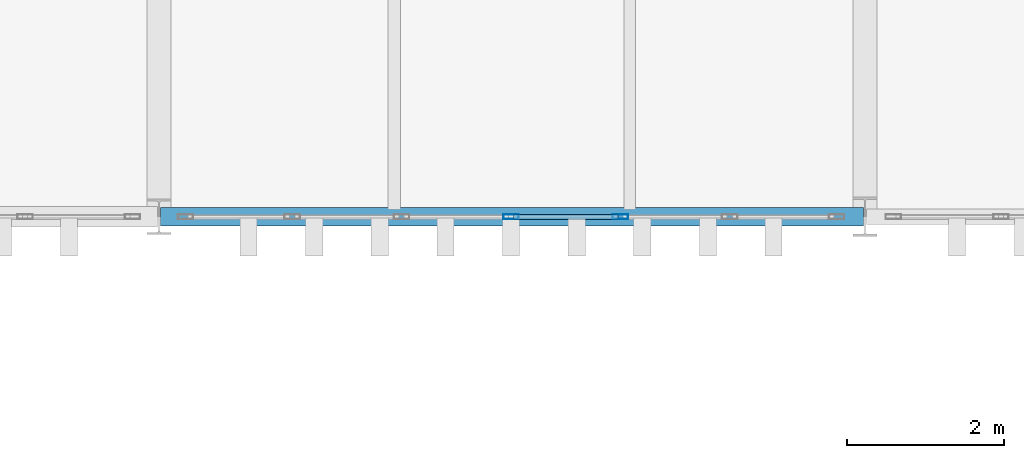
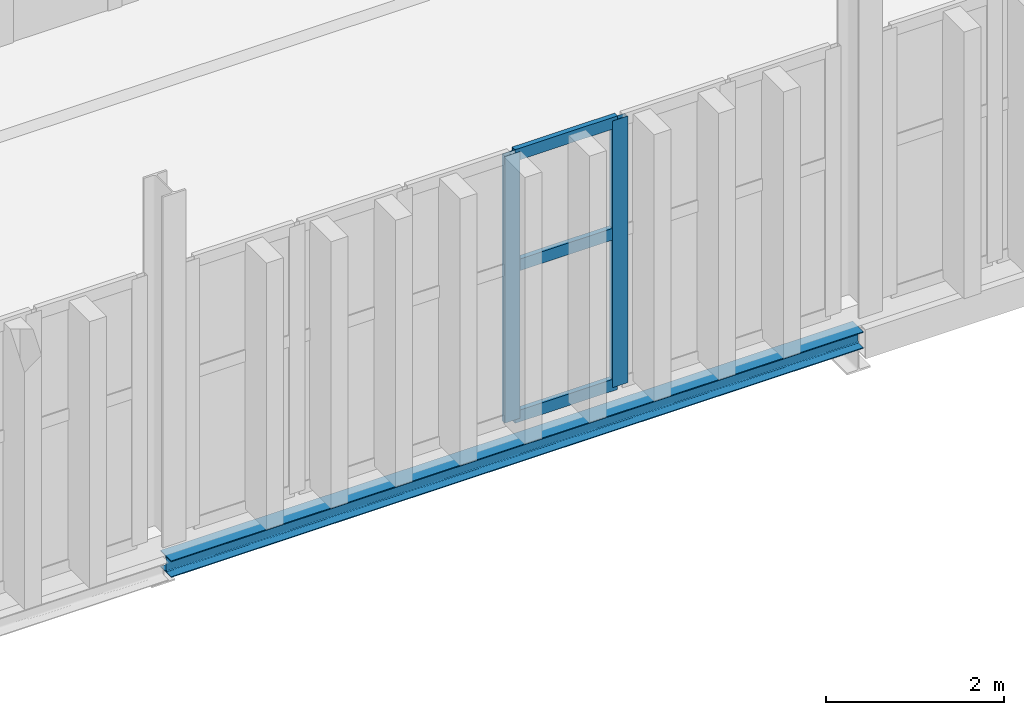
# One storey, part 30 of 196: 5 members, 1 beam, 1 element without a shape of its own.
"""IFC4 building model written with IfcOpenShell, lengths in metres."""

from ifc_helpers import new_model, si_unit, direction, frame, origin, origin_2d, place, context, subcontext, project, spatial, hollow_rectangle, i_section, extrude, material, layer, layer_set, material_profile, profile_set, type_object, element, aggregate, save


model = new_model("IFC4")

# Units and contexts
model_context = context("Model", 3, precision=1e-05, world=origin(), true_north=direction((0.0, 1.0)))
body_context = subcontext(model_context, "Body", "Model", "MODEL_VIEW")
ifc_project = project(units=[si_unit("LENGTHUNIT", "METRE"), si_unit("AREAUNIT", "SQUARE_METRE"), si_unit("VOLUMEUNIT", "CUBIC_METRE"), si_unit("PLANEANGLEUNIT", "RADIAN"), si_unit("MASSUNIT", "GRAM", prefix="KILO")], contexts=[model_context])

# Site, building, storey
site_placement = place(None, origin())
site = spatial("IfcSite", under=ifc_project, at=site_placement, CompositionType="ELEMENT")
building_placement = place(site_placement, origin())
building = spatial("IfcBuilding", under=site, at=building_placement, Name="Barlavento Convention Centre", CompositionType="ELEMENT")
storey_placement = place(building_placement, frame((0.0, 0.0, 18.0)))
storey = spatial("IfcBuildingStorey", under=building, at=storey_placement, Name="L03", CompositionType="ELEMENT", Elevation=18.0)

# Curtain wall, members
ifc_material_1 = material(Name="Powder-coated aluminium and Low-E glass", Category="aluminium")
ifc_layer = layer(ifc_material_1, 0.179931640625)
ifc_layer_set = layer_set([ifc_layer], Name="ARC-CW-CONF-L03")
curtain_wall_type = type_object("IfcCurtainWallType", Name="ARC-CW-CONF-L03", PredefinedType="NOTDEFINED", material=ifc_layer_set)
curtain_wall_placement = place(storey_placement, origin())
curtain_wall = element("IfcCurtainWall", 1, at=curtain_wall_placement, inside=storey, type_object=curtain_wall_type, Name="L03 unitised curtain wall CW08", PredefinedType="NOTDEFINED")
ifc_material_2 = material(Name="Powder-coated aluminium", Category="aluminium")
ifc_material_profile_1 = material_profile(ifc_material_2, hollow_rectangle(XDim=0.06494140625, YDim=0.199951171875, WallThickness=0.0048828125, at=origin_2d()), Name="AL-MULL 65x200x5")
ifc_profile_set_1 = profile_set([ifc_material_profile_1], Name="Powder-coated aluminium")
member_type_1 = type_object("IfcMemberType", Name="ARC-CWM-65X200", PredefinedType="MULLION", material=ifc_profile_set_1)
member_1_placement = place(storey_placement, frame((94.487548828125, 45.0, 0.0), z_axis=(0.0, 0.0, 1.0), x_axis=(0.0, 1.0, 0.0)))
member_1 = element("IfcMember", 2, at=member_1_placement, type_object=member_type_1, Name="CW08 mullion 4", PredefinedType="MULLION", context=body_context, shape_type="SweptSolid", body=[
    extrude(hollow_rectangle(XDim=0.06494140625, YDim=0.199951171875, WallThickness=0.0048828125, at=origin_2d()), origin(), (0.0, 0.0, 1.0), 3.64990234375),
])
member_2_placement = place(storey_placement, frame((95.881591796875, 45.0, 0.0), z_axis=(0.0, 0.0, 1.0), x_axis=(0.0, 1.0, 0.0)))
member_2 = element("IfcMember", 3, at=member_2_placement, type_object=member_type_1, Name="CW08 mullion 5", PredefinedType="MULLION", context=body_context, shape_type="SweptSolid", body=[
    extrude(hollow_rectangle(XDim=0.06494140625, YDim=0.199951171875, WallThickness=0.0048828125, at=origin_2d()), origin(), (0.0, 0.0, 1.0), 3.64990234375),
])
ifc_material_profile_2 = material_profile(ifc_material_2, hollow_rectangle(XDim=0.06494140625, YDim=0.159912109375, WallThickness=0.0048828125, at=origin_2d()), Name="AL-TRAN 65x160x5")
ifc_profile_set_2 = profile_set([ifc_material_profile_2], Name="Powder-coated aluminium")
member_type_2 = type_object("IfcMemberType", Name="ARC-CWT-65X160", PredefinedType="USERDEFINED", material=ifc_profile_set_2)
member_3_placement = place(storey_placement, frame((94.52001953125, 45.0, 0.032470703125), z_axis=(1.0, 0.0, 0.0), x_axis=(0.0, 1.0, 0.0)))
member_3 = element("IfcMember", 4, at=member_3_placement, type_object=member_type_2, Name="CW08 transom 4.1", ObjectType="TRANSOM", PredefinedType="USERDEFINED", context=body_context, shape_type="SweptSolid", body=[
    extrude(hollow_rectangle(XDim=0.06494140625, YDim=0.159912109375, WallThickness=0.0048828125, at=origin_2d()), origin(), (0.0, 0.0, 1.0), 1.3291015625),
])
member_4_placement = place(storey_placement, frame((94.52001953125, 45.0, 2.10009765625), z_axis=(1.0, 0.0, 0.0), x_axis=(0.0, 1.0, 0.0)))
member_4 = element("IfcMember", 5, at=member_4_placement, type_object=member_type_2, Name="CW08 transom 4.2", ObjectType="TRANSOM", PredefinedType="USERDEFINED", context=body_context, shape_type="SweptSolid", body=[
    extrude(hollow_rectangle(XDim=0.06494140625, YDim=0.159912109375, WallThickness=0.0048828125, at=origin_2d()), origin(), (0.0, 0.0, 1.0), 1.3291015625),
])
member_5_placement = place(storey_placement, frame((94.52001953125, 45.0, 3.617431640625), z_axis=(1.0, 0.0, 0.0), x_axis=(0.0, 1.0, 0.0)))
member_5 = element("IfcMember", 6, at=member_5_placement, type_object=member_type_2, Name="CW08 transom 4.3", ObjectType="TRANSOM", PredefinedType="USERDEFINED", context=body_context, shape_type="SweptSolid", body=[
    extrude(hollow_rectangle(XDim=0.06494140625, YDim=0.159912109375, WallThickness=0.0048828125, at=origin_2d()), origin(), (0.0, 0.0, 1.0), 1.3291015625),
])
aggregate(curtain_wall, [member_1, member_2, member_3, member_4, member_5])

# Beam
ifc_material_3 = material(Name="Steel S355", Category="steel")
ifc_material_profile_3 = material_profile(ifc_material_3, i_section(OverallWidth=0.239990234375, OverallDepth=0.22998046875, WebThickness=0.007568359375, FlangeThickness=0.011962890625, FilletRadius=0.02099609375, at=origin_2d()), Name="HEA 240")
ifc_profile_set_3 = profile_set([ifc_material_profile_3], Name="Steel S355")
beam_type = type_object("IfcBeamType", Name="STR-BM-SPN-HEA240", PredefinedType="SPANDREL", material=ifc_profile_set_3)
beam_placement = place(storey_placement, frame((90.02001953125, 45.0, -0.4150390625), z_axis=(1.0, 0.0, 0.0), x_axis=(0.0, 1.0, 0.0)))
element("IfcBeam", 7, at=beam_placement, inside=storey, type_object=beam_type, Name="L03 primary girder SP05", PredefinedType="SPANDREL", context=body_context, shape_type="SweptSolid", body=[
    extrude(i_section(OverallWidth=0.239990234375, OverallDepth=0.22998046875, WebThickness=0.007568359375, FlangeThickness=0.011962890625, FilletRadius=0.02099609375, at=origin_2d()), origin(), (0.0, 0.0, 1.0), 8.9599609375),
])

save(model, "model.ifc")
